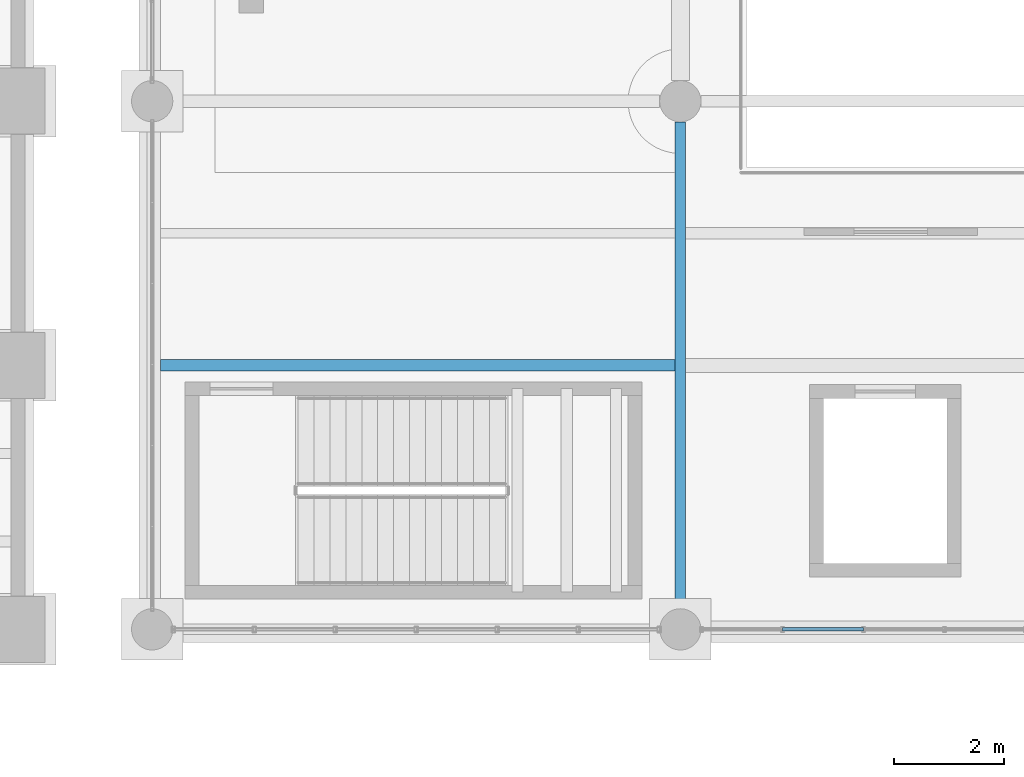
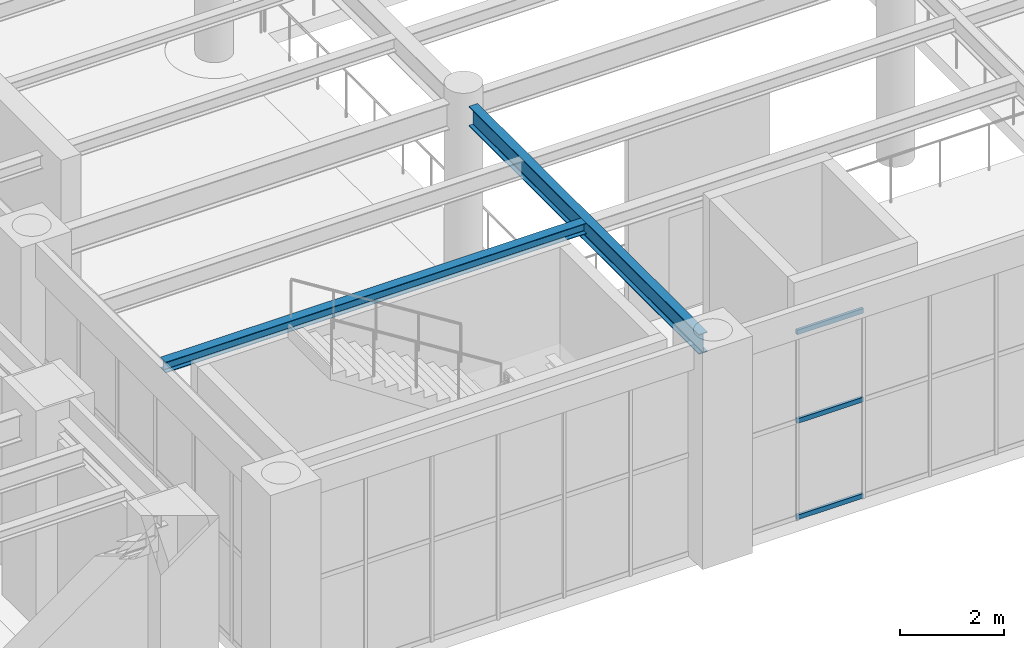
# One storey, part 33 of 174: 3 members, 2 beams, 1 element without a shape of its own.
"""IFC4 building model written with IfcOpenShell, lengths in metres."""

import ifcopenshell
import ifcopenshell.guid

model = None  # the IFC model being written
_history = None  # IfcOwnerHistory: only IFC2X3 demands one
_inside = {}  # id of a spatial element -> (the spatial element, [elements in it])
_under = {}  # id of a project, library or spatial element -> (it, [spatial elements below it])
_declared = {}  # id of a project -> (the project, [libraries it declares])
_typed = {}  # id of a type object -> (the type object, [elements of that type])
_made_of = {}  # id of a material, layer set ... -> (it, [elements and type objects made of it])


def new_model(schema):
    """Start an empty IFC model of exactly this schema.

    Asked for "IFC4X3", IfcOpenShell would pick the latest addendum, in which some entities
    have other attributes; the version numbers below select the first issue.
    IFC2X3 requires an IfcOwnerHistory on every rooted entity: one is made here for all.
    """
    global model, _history
    if schema == "IFC4X3":
        model = ifcopenshell.file(schema_version=(4, 3, 0, 0))
    else:
        model = ifcopenshell.file(schema=schema)
    _inside.clear()
    _under.clear()
    _declared.clear()
    _typed.clear()
    _made_of.clear()
    _history = None
    if model.schema == "IFC2X3":
        org = make("IfcOrganization", Name="unknown")
        user = make(
            "IfcPersonAndOrganization",
            ThePerson=make("IfcPerson", FamilyName="unknown"),
            TheOrganization=org,
        )
        app = make(
            "IfcApplication",
            ApplicationDeveloper=org,
            Version="unknown",
            ApplicationFullName="unknown",
            ApplicationIdentifier="unknown",
        )
        _history = make(
            "IfcOwnerHistory",
            OwningUser=user,
            OwningApplication=app,
            ChangeAction="ADDED",
            CreationDate=0,
        )
    return model


def make(cls, **values):
    """One entity of the class cls with the attributes given. An attribute that is None is left unset."""
    return model.create_entity(
        cls, **{name: value for name, value in values.items() if value is not None}
    )


def rooted(cls, **values):
    """An entity with a GlobalId (a new one), such as an element, a storey or a relation."""
    return make(cls, GlobalId=ifcopenshell.guid.new(), OwnerHistory=_history, **values)


def si_unit(unit_type, name, prefix=None):
    """IfcSIUnit, for example si_unit("LENGTHUNIT", "METRE", prefix="MILLI")."""
    return make("IfcSIUnit", UnitType=unit_type, Prefix=prefix, Name=name)


def assignment(units):
    """IfcUnitAssignment: the units of a project."""
    return None if units is None else make("IfcUnitAssignment", Units=units)


def point(xyz):
    """IfcCartesianPoint."""
    return None if xyz is None else make("IfcCartesianPoint", Coordinates=xyz)


def direction(xyz):
    """IfcDirection."""
    return None if xyz is None else make("IfcDirection", DirectionRatios=xyz)


def frame(location, z_axis=None, x_axis=None):
    """IfcAxis2Placement3D, a coordinate frame: its origin and axes. An axis left out is left unset."""
    return make(
        "IfcAxis2Placement3D",
        Location=point(location),
        Axis=direction(z_axis),
        RefDirection=direction(x_axis),
    )


def frame_2d(location, x_axis=None):
    """IfcAxis2Placement2D, a coordinate frame in the plane: its origin and x axis."""
    return make(
        "IfcAxis2Placement2D", Location=point(location), RefDirection=direction(x_axis)
    )


def origin():
    """The frame at (0, 0, 0) with its axes left unset."""
    return frame((0.0, 0.0, 0.0))


def origin_2d():
    """The frame at (0, 0) in the plane with its x axis left unset."""
    return frame_2d((0.0, 0.0))


def place(relative_to, where):
    """IfcLocalPlacement: puts the frame where relative to a parent placement (None: the world)."""
    return make(
        "IfcLocalPlacement", PlacementRelTo=relative_to, RelativePlacement=where
    )


def context(
    kind, dimensions, precision=None, world=None, true_north=None, identifier=None
):
    """IfcGeometricRepresentationContext, for example the 3D "Model" context."""
    return make(
        "IfcGeometricRepresentationContext",
        ContextIdentifier=identifier,
        ContextType=kind,
        CoordinateSpaceDimension=dimensions,
        Precision=precision,
        WorldCoordinateSystem=world,
        TrueNorth=true_north,
    )


def subcontext(parent, identifier, kind, view, scale=None):
    """IfcGeometricRepresentationSubContext, for example "Body" below "Model"."""
    return make(
        "IfcGeometricRepresentationSubContext",
        ContextIdentifier=identifier,
        ContextType=kind,
        ParentContext=parent,
        TargetScale=scale,
        TargetView=view,
    )


def project(units=None, contexts=None):
    """IfcProject with its units and contexts."""
    return rooted(
        "IfcProject",
        Name="project",
        RepresentationContexts=contexts,
        UnitsInContext=assignment(units),
    )


def spatial(cls, under=None, at=None, **own):
    """A site, building, storey or space (cls), placed at a placement, below another one or the project."""
    s = rooted(cls, ObjectPlacement=at, **own)
    if under is not None:
        _under.setdefault(under.id(), (under, []))[1].append(s)
    return s


def profile(cls, at=None, kind="AREA", **sizes):
    """A parametric profile (cls). Its sizes go by their IFC names, for example OverallWidth=200.0."""
    return make(cls, ProfileType=kind, Position=at, **sizes)


def hollow_rectangle(**sizes):
    """IfcRectangleHollowProfileDef."""
    return profile("IfcRectangleHollowProfileDef", **sizes)


def i_section(**sizes):
    """IfcIShapeProfileDef."""
    return profile("IfcIShapeProfileDef", **sizes)


def extrude(swept, where, along, depth):
    """IfcExtrudedAreaSolid: the profile swept, set in the frame where, extruded along a direction by depth."""
    return make(
        "IfcExtrudedAreaSolid",
        SweptArea=swept,
        Position=where,
        ExtrudedDirection=direction(along),
        Depth=depth,
    )


def shape(context_of_items, identifier, shape_type, items):
    """IfcShapeRepresentation: the items that make up one representation, for example the "Body"."""
    return make(
        "IfcShapeRepresentation",
        ContextOfItems=context_of_items,
        RepresentationIdentifier=identifier,
        RepresentationType=shape_type,
        Items=items,
    )


def material(Name=None, Category=None):
    """IfcMaterial."""
    return make("IfcMaterial", Name=Name, Category=Category)


def material_profile(
    of_material, cross_section, Name=None, Category=None, Priority=None
):
    """IfcMaterialProfile: a cross section and its material."""
    return make(
        "IfcMaterialProfile",
        Name=Name,
        Material=of_material,
        Profile=cross_section,
        Priority=Priority,
        Category=Category,
    )


def profile_set(profiles, Name=None, composite=None):
    """IfcMaterialProfileSet."""
    return make(
        "IfcMaterialProfileSet",
        Name=Name,
        MaterialProfiles=profiles,
        CompositeProfile=composite,
    )


def made_of(thing, what):
    """Note that an element or type object is made of a material, layer set ...; save() writes the relation."""
    if what is not None:
        _made_of.setdefault(what.id(), (what, []))[1].append(thing)
    return thing


def type_object(cls, material=None, **own):
    """A type object (cls), such as IfcWallType, which elements share."""
    return made_of(rooted(cls, **own), material)


def element(
    cls,
    number,
    at=None,
    inside=None,
    cuts=None,
    type_object=None,
    material=None,
    context=None,
    identifier="Body",
    shape_type=None,
    held_by="IfcProductDefinitionShape",
    body=None,
    shapes=None,
    **own,
):
    """One element of the class cls, such as IfcWall. Its Tag is "e" and its number.

    at: its placement. inside: the storey or other place that contains it. cuts: it is an
    opening in that element (IfcRelVoidsElement). A single representation is given by context,
    identifier, shape_type and body (its items); several are given by shapes. held_by: the class
    of the entity that holds the representations. save() writes the other relations.
    """
    e = rooted(cls, Tag="e%d" % number, ObjectPlacement=at, **own)
    if body is not None:
        shapes = [shape(context, identifier, shape_type, body)]
    if shapes is not None:
        e.Representation = make(held_by, Representations=shapes)
    if inside is not None:
        _inside.setdefault(inside.id(), (inside, []))[1].append(e)
    if cuts is not None:
        rooted(
            "IfcRelVoidsElement", RelatingBuildingElement=cuts, RelatedOpeningElement=e
        )
    if type_object is not None:
        _typed.setdefault(type_object.id(), (type_object, []))[1].append(e)
    return made_of(e, material)


def aggregate(whole, parts):
    """IfcRelAggregates: a whole, such as a stair, and the parts it consists of."""
    return rooted("IfcRelAggregates", RelatingObject=whole, RelatedObjects=parts)


def save(model, path):
    """Write the relations noted so far, then the file.

    IfcRelAggregates (storeys below a building ...), IfcRelContainedInSpatialStructure (elements
    in a storey), IfcRelDefinesByType, IfcRelAssociatesMaterial and IfcRelDeclares: one each for
    every whole, place, type object, material and project.
    """
    for whole, parts in _under.values():
        aggregate(whole, parts)
    for where, things in _inside.values():
        rooted(
            "IfcRelContainedInSpatialStructure",
            RelatedElements=things,
            RelatingStructure=where,
        )
    for kind, things in _typed.values():
        rooted("IfcRelDefinesByType", RelatedObjects=things, RelatingType=kind)
    for what, things in _made_of.values():
        rooted("IfcRelAssociatesMaterial", RelatedObjects=things, RelatingMaterial=what)
    for by, libraries in _declared.values():
        rooted("IfcRelDeclares", RelatingContext=by, RelatedDefinitions=libraries)
    model.write(path)


model = new_model("IFC4")

# Units and contexts
model_context = context("Model", 3, precision=1e-05, world=origin(), true_north=direction((0.0, 1.0)))
body_context = subcontext(model_context, "Body", "Model", "MODEL_VIEW")
ifc_project = project(units=[si_unit("LENGTHUNIT", "METRE"), si_unit("AREAUNIT", "SQUARE_METRE"), si_unit("VOLUMEUNIT", "CUBIC_METRE"), si_unit("PLANEANGLEUNIT", "RADIAN"), si_unit("MASSUNIT", "GRAM", prefix="KILO")], contexts=[model_context])

# Site, building, storey
site_placement = place(None, origin())
site = spatial("IfcSite", under=ifc_project, at=site_placement, CompositionType="ELEMENT")
building_placement = place(site_placement, origin())
building = spatial("IfcBuilding", under=site, at=building_placement, Name="Mavantir Sound Aquarium", CompositionType="ELEMENT")
storey_placement = place(building_placement, frame((0.0, 0.0, 5.39990234375)))
storey = spatial("IfcBuildingStorey", under=building, at=storey_placement, Name="L01", CompositionType="ELEMENT", Elevation=5.39990234375)

# Beams
ifc_material_1 = material(Name="Structural Steel ASTM A992 Gr50", Category="steel")
ifc_material_profile_1 = material_profile(ifc_material_1, i_section(OverallWidth=0.202880859375, OverallDepth=0.251953125, WebThickness=0.008056640625, FlangeThickness=0.013427734375, FilletRadius=0.011962890625, at=origin_2d()), Name="W250X58")
ifc_profile_set_1 = profile_set([ifc_material_profile_1], Name="Structural Steel ASTM A992 Gr50")
beam_type_1 = type_object("IfcBeamType", Name="BM-W250X58-I", PredefinedType="JOIST", material=ifc_profile_set_1)
beam_1_placement = place(storey_placement, frame((36.152587890625, 45.60009765625, 4.670166015625), z_axis=(1.0, 0.0, 0.0), x_axis=(0.0, 1.0, 0.0)))
element("IfcBeam", 1, at=beam_1_placement, inside=storey, type_object=beam_type_1, Name="L01 secondary floor joist SJ-25 664", PredefinedType="JOIST", context=body_context, shape_type="SweptSolid", body=[
    extrude(i_section(OverallWidth=0.202880859375, OverallDepth=0.251953125, WebThickness=0.008056640625, FlangeThickness=0.013427734375, FilletRadius=0.011962890625, at=origin_2d()), origin(), (0.0, 0.0, 1.0), 9.350341796875),
])
ifc_material_profile_2 = material_profile(ifc_material_1, i_section(OverallWidth=0.194091796875, OverallDepth=0.468994140625, WebThickness=0.0126953125, FlangeThickness=0.0205078125, FilletRadius=0.01611328125, at=origin_2d()), Name="W460X106")
ifc_profile_set_2 = profile_set([ifc_material_profile_2], Name="Structural Steel ASTM A992 Gr50")
beam_type_2 = type_object("IfcBeamType", Name="BM-W460X106-I", PredefinedType="BEAM", material=ifc_profile_set_2)
beam_2_placement = place(storey_placement, frame((45.60009765625, 41.175048828125, 4.5615234375), z_axis=(0.0, 1.0, 0.0), x_axis=(-1.0, 0.0, 0.0)))
element("IfcBeam", 2, at=beam_2_placement, inside=storey, type_object=beam_type_2, Name="L01 primary girder SB-46 1197", PredefinedType="BEAM", context=body_context, shape_type="SweptSolid", body=[
    extrude(i_section(OverallWidth=0.194091796875, OverallDepth=0.468994140625, WebThickness=0.0126953125, FlangeThickness=0.0205078125, FilletRadius=0.01611328125, at=origin_2d()), origin(), (0.0, 0.0, 1.0), 8.849853515625),
])

# Curtain wall, members
ifc_material_2 = material(Name="Anodised Marine Aluminium and Low-E Glass", Category="aluminium")
curtain_wall_type = type_object("IfcCurtainWallType", Name="CW-T17", PredefinedType="USERDEFINED", material=ifc_material_2)
curtain_wall_placement = place(storey_placement, origin())
curtain_wall = element("IfcCurtainWall", 3, at=curtain_wall_placement, inside=storey, type_object=curtain_wall_type, Name="L01 unitised curtain wall CW-17 65", ObjectType="UNITISED GLAZING", PredefinedType="USERDEFINED")
ifc_material_3 = material(Name="Anodised Marine Aluminium 6063-T6", Category="aluminium")
ifc_material_profile_3 = material_profile(ifc_material_3, hollow_rectangle(XDim=0.06005859375, YDim=0.110107421875, WallThickness=0.00390625, at=origin_2d()), Name="ALU-TRANSOM-110X60")
ifc_profile_set_3 = profile_set([ifc_material_profile_3], Name="Anodised Marine Aluminium 6063-T6")
member_type = type_object("IfcMemberType", Name="CW-TRN-110", PredefinedType="USERDEFINED", material=ifc_profile_set_3)
member_1_placement = place(storey_placement, frame((47.455322265625, 40.800048828125, 0.05517578125), z_axis=(1.0, 0.0, 0.0), x_axis=(0.0, 1.0, 0.0)))
member_1 = element("IfcMember", 4, at=member_1_placement, type_object=member_type, Name="CW-L01-065 transom 2.1", ObjectType="TRANSOM", PredefinedType="USERDEFINED", context=body_context, shape_type="SweptSolid", body=[
    extrude(hollow_rectangle(XDim=0.06005859375, YDim=0.110107421875, WallThickness=0.00390625, at=origin_2d()), origin(), (0.0, 0.0, 1.0), 1.472412109375),
])
member_2_placement = place(storey_placement, frame((47.455322265625, 40.800048828125, 2.318359375), z_axis=(1.0, 0.0, 0.0), x_axis=(0.0, 1.0, 0.0)))
member_2 = element("IfcMember", 5, at=member_2_placement, type_object=member_type, Name="CW-L01-065 transom 2.2", ObjectType="TRANSOM", PredefinedType="USERDEFINED", context=body_context, shape_type="SweptSolid", body=[
    extrude(hollow_rectangle(XDim=0.06005859375, YDim=0.110107421875, WallThickness=0.00390625, at=origin_2d()), origin(), (0.0, 0.0, 1.0), 1.472412109375),
])
member_3_placement = place(storey_placement, frame((47.455322265625, 40.800048828125, 4.403076171875), z_axis=(1.0, 0.0, 0.0), x_axis=(0.0, 1.0, 0.0)))
member_3 = element("IfcMember", 6, at=member_3_placement, type_object=member_type, Name="CW-L01-065 transom 2.3", ObjectType="TRANSOM", PredefinedType="USERDEFINED", context=body_context, shape_type="SweptSolid", body=[
    extrude(hollow_rectangle(XDim=0.06005859375, YDim=0.110107421875, WallThickness=0.00390625, at=origin_2d()), origin(), (0.0, 0.0, 1.0), 1.472412109375),
])
aggregate(curtain_wall, [member_1, member_2, member_3])

save(model, "model.ifc")
